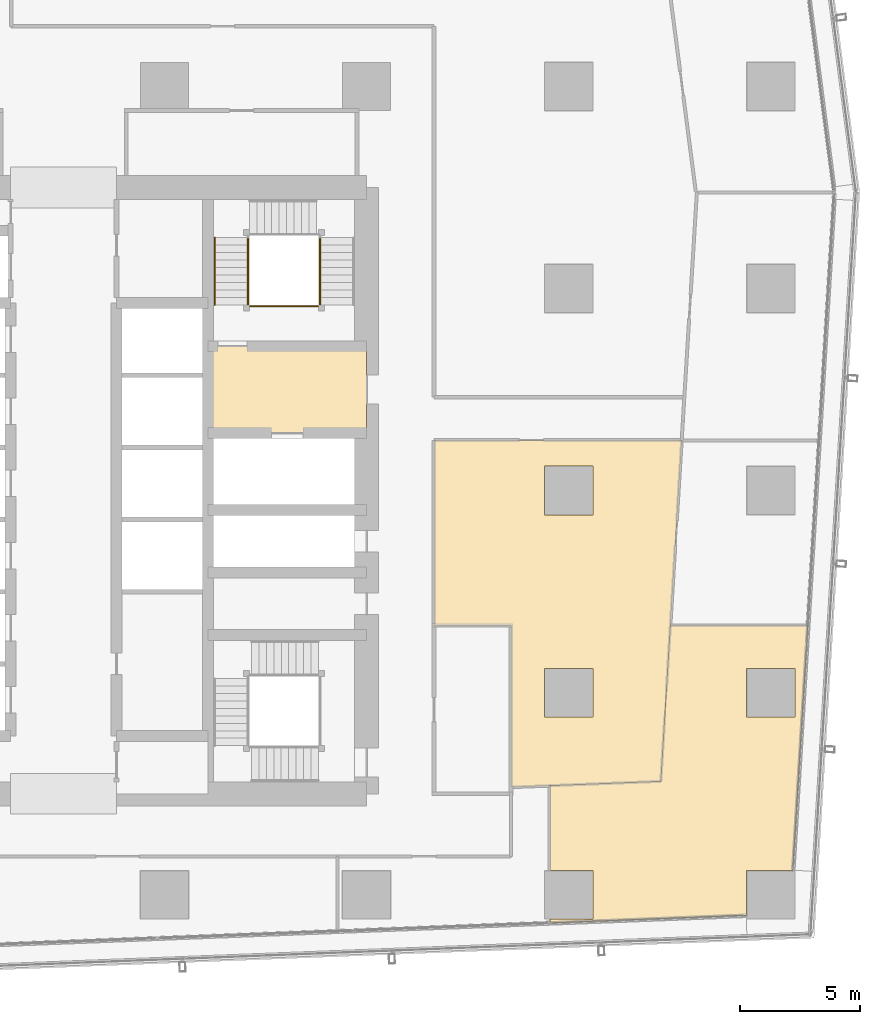
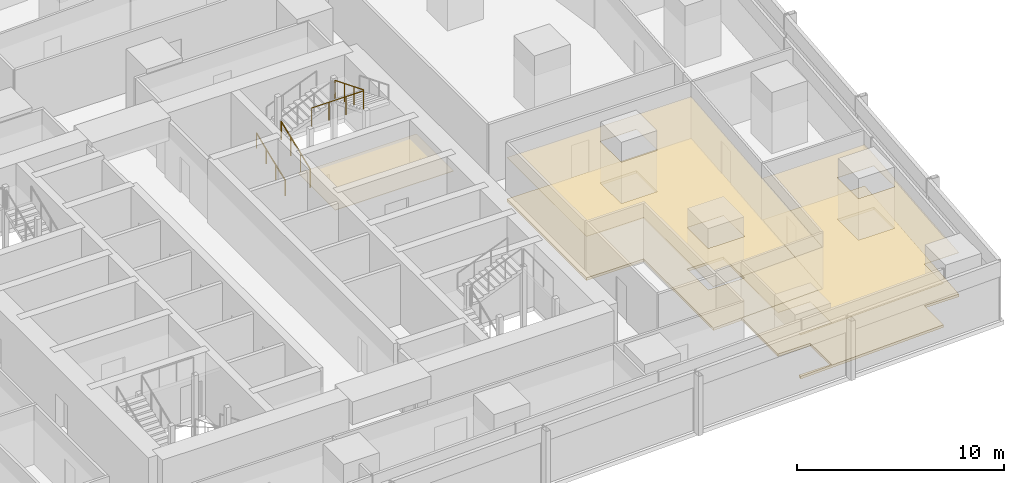
# One storey, part 37 of 39: 5 coverings, 4 railings.
"""IFC4 building model written with IfcOpenShell, lengths in metres."""

from ifc_helpers import new_model, si_unit, direction, frame, origin, origin_2d, place, context, subcontext, project, spatial, polyline, circle, outline, extrude, material, layer, layer_set, type_object, element, save


model = new_model("IFC4")

# Units and contexts
model_context = context("Model", 3, precision=1e-05, world=origin(), true_north=direction((0.0, 1.0)))
body_context = subcontext(model_context, "Body", "Model", "MODEL_VIEW")
ifc_project = project(units=[si_unit("LENGTHUNIT", "METRE"), si_unit("AREAUNIT", "SQUARE_METRE"), si_unit("VOLUMEUNIT", "CUBIC_METRE"), si_unit("PLANEANGLEUNIT", "RADIAN"), si_unit("MASSUNIT", "GRAM", prefix="KILO")], contexts=[model_context])

# Site, building, storey
site_placement = place(None, origin())
site = spatial("IfcSite", under=ifc_project, at=site_placement, CompositionType="ELEMENT")
building_placement = place(site_placement, origin())
building = spatial("IfcBuilding", under=site, at=building_placement, Name="Rekha Terrace Tower", CompositionType="ELEMENT")
storey_placement = place(building_placement, frame((0.0, 0.0, 147.800048828125)))
storey = spatial("IfcBuildingStorey", under=building, at=storey_placement, Name="L37", CompositionType="ELEMENT", Elevation=147.800048828125)

# Coverings
ifc_material_1 = material(Name="Mineral fibre tile in exposed grid", Category="finish")
ifc_layer_1 = layer(ifc_material_1, 0.02001953125)
ifc_layer_set_1 = layer_set([ifc_layer_1], Name="Mineral fibre tile in exposed grid")
covering_type_1 = type_object("IfcCoveringType", Name="CL1 600x1200 office grid ceiling", PredefinedType="CEILING", material=ifc_layer_set_1)
covering_1_placement = place(storey_placement, frame((0.0, 0.0, 2.579833984375)))
element("IfcCovering", 1, at=covering_1_placement, inside=storey, type_object=covering_type_1, Name="Ceiling L37-03", PredefinedType="CEILING", context=body_context, shape_type="SweptSolid", body=[
    extrude(outline(polyline([(68.111083984375, 17.81494140625), (68.735107421875, 27.9970703125), (63.02392578125, 27.9970703125), (62.626953125, 21.51708984375), (58.010986328125, 21.337890625), (58.010986328125, 17.81494140625), (59.81494140625, 17.81494140625), (59.81494140625, 15.784912109375), (58.010986328125, 15.784912109375), (58.010986328125, 15.633056640625), (66.18505859375, 15.950927734375), (66.18505859375, 17.81494140625), (68.111083984375, 17.81494140625)]), holes=[polyline([(68.215087890625, 24.18505859375), (66.18505859375, 24.18505859375), (66.18505859375, 26.215087890625), (68.215087890625, 26.215087890625), (68.215087890625, 24.18505859375)])]), origin(), (0.0, 0.0, 1.0), 0.02001953125),
])
covering_2_placement = place(storey_placement, frame((0.0, 0.0, 2.579833984375)))
element("IfcCovering", 2, at=covering_2_placement, inside=storey, type_object=covering_type_1, Name="Ceiling L37-O1b", PredefinedType="CEILING", context=body_context, shape_type="SweptSolid", body=[
    extrude(outline(polyline([(53.199951171875, 35.68994140625), (53.199951171875, 28.0), (56.39990234375, 28.0), (56.39990234375, 21.27490234375), (58.010986328125, 21.3369140625), (58.010986328125, 21.337890625), (62.626953125, 21.51708984375), (63.02392578125, 27.998046875), (63.4951171875, 35.68994140625), (53.199951171875, 35.68994140625)]), holes=[polyline([(59.81494140625, 26.215087890625), (59.81494140625, 24.18505859375), (57.784912109375, 24.18505859375), (57.784912109375, 26.215087890625), (59.81494140625, 26.215087890625)]), polyline([(59.81494140625, 32.5849609375), (57.784912109375, 32.5849609375), (57.784912109375, 34.614990234375), (59.81494140625, 34.614990234375), (59.81494140625, 32.5849609375)])]), origin(), (0.0, 0.0, 1.0), 0.02001953125),
])
ifc_material_2 = material(Name="Powder-coated aluminium pan", Category="aluminium")
ifc_layer_2 = layer(ifc_material_2, 0.030029296875)
ifc_layer_set_2 = layer_set([ifc_layer_2], Name="Powder-coated aluminium pan")
covering_type_2 = type_object("IfcCoveringType", Name="CL3 300x1200 metal pan ceiling", PredefinedType="CEILING", material=ifc_layer_set_2)
covering_3_placement = place(storey_placement, frame((0.0, 0.0, 2.570068359375)))
element("IfcCovering", 3, at=covering_3_placement, inside=storey, type_object=covering_type_2, Name="Ceiling L37-FLB2", PredefinedType="CEILING", context=body_context, shape_type="SweptSolid", body=[
    extrude(outline(polyline([(50.39990234375, 39.60009765625), (43.800048828125, 39.60009765625), (43.800048828125, 36.0), (50.39990234375, 36.0), (50.39990234375, 39.60009765625)])), origin(), (0.0, 0.0, 1.0), 0.02978515625),
])

# Railings
ifc_material_3 = material(Name="Stainless steel balustrade", Category="steel")
railing_type_1 = type_object("IfcRailingType", Name="GR1 1100 stair guard", PredefinedType="GUARDRAIL", material=ifc_material_3)
railing_1_placement = place(storey_placement, frame((45.465087890625, 41.324951171875, 0.125)))
element("IfcRailing", 4, at=railing_1_placement, inside=storey, type_object=railing_type_1, Name="Guard ST2 L37 flight 1", PredefinedType="GUARDRAIL", context=body_context, shape_type="SweptSolid", body=[
    extrude(circle(Radius=0.02392578125, at=origin_2d()), frame((0.0, 0.0, 1.076171875), z_axis=(0.0, 0.927443287984, 0.373963831907), x_axis=(-1.0, 0.0, 0.0)), (0.0, 0.0, 1.0), 3.00830078125),
    extrude(circle(Radius=0.02099609375, at=origin_2d()), origin(), (0.0, 0.0, 1.0), 1.052001953125),
    extrude(circle(Radius=0.02099609375, at=origin_2d()), frame((0.0, 0.929931640625, 0.375)), (0.0, 0.0, 1.0), 1.052001953125),
    extrude(circle(Radius=0.02099609375, at=origin_2d()), frame((0.0, 1.860107421875, 0.75)), (0.0, 0.0, 1.0), 1.052001953125),
    extrude(circle(Radius=0.02099609375, at=origin_2d()), frame((0.0, 2.7900390625, 1.125)), (0.0, 0.0, 1.0), 1.052001953125),
])
railing_2_placement = place(storey_placement, frame((48.4599609375, 44.114990234375, 2.625)))
element("IfcRailing", 5, at=railing_2_placement, inside=storey, type_object=railing_type_1, Name="Guard ST2 L37 flight 3", PredefinedType="GUARDRAIL", context=body_context, shape_type="SweptSolid", body=[
    extrude(circle(Radius=0.02392578125, at=origin_2d()), frame((0.0, 0.0, 1.076171875), z_axis=(0.0, -0.927443287984, 0.373963831907), x_axis=(1.0, 0.0, 0.0)), (0.0, 0.0, 1.0), 3.00830078125),
    extrude(circle(Radius=0.02099609375, at=origin_2d()), origin(), (0.0, 0.0, 1.0), 1.052001953125),
    extrude(circle(Radius=0.02099609375, at=origin_2d()), frame((0.0, -0.929931640625, 0.375)), (0.0, 0.0, 1.0), 1.052001953125),
    extrude(circle(Radius=0.02099609375, at=origin_2d()), frame((0.0, -1.860107421875, 0.75)), (0.0, 0.0, 1.0), 1.052001953125),
    extrude(circle(Radius=0.02099609375, at=origin_2d()), frame((0.0, -2.7900390625, 1.125)), (0.0, 0.0, 1.0), 1.052001953125),
])
railing_3_placement = place(storey_placement, frame((45.52490234375, 41.264892578125, 3.75)))
element("IfcRailing", 6, at=railing_3_placement, inside=storey, type_object=railing_type_1, Name="Guard ST2 L37 landing 4", PredefinedType="GUARDRAIL", context=body_context, shape_type="SweptSolid", body=[
    extrude(circle(Radius=0.02392578125, at=origin_2d()), frame((0.0, 0.0, 1.076171875), z_axis=(1.0, 0.0, 0.0), x_axis=(0.0, 1.0, 0.0)), (0.0, 0.0, 1.0), 2.875),
    extrude(circle(Radius=0.02099609375, at=origin_2d()), origin(), (0.0, 0.0, 1.0), 1.052001953125),
    extrude(circle(Radius=0.02099609375, at=origin_2d()), frame((0.958251953125, 0.0, 0.0)), (0.0, 0.0, 1.0), 1.052001953125),
    extrude(circle(Radius=0.02099609375, at=origin_2d()), frame((1.916748046875, 0.0, 0.0)), (0.0, 0.0, 1.0), 1.052001953125),
    extrude(circle(Radius=0.02099609375, at=origin_2d()), frame((2.875, 0.0, 0.0)), (0.0, 0.0, 1.0), 1.052001953125),
])
ifc_material_4 = material(Name="Stainless steel tube", Category="steel")
railing_type_2 = type_object("IfcRailingType", Name="HR1 900 stair handrail", PredefinedType="HANDRAIL", material=ifc_material_4)
railing_4_placement = place(storey_placement, frame((44.0849609375, 41.324951171875, 0.125)))
element("IfcRailing", 7, at=railing_4_placement, inside=storey, type_object=railing_type_2, Name="Handrail ST2 L37 flight 1", PredefinedType="HANDRAIL", context=body_context, shape_type="SweptSolid", body=[
    extrude(circle(Radius=0.02392578125, at=origin_2d()), frame((0.0, 0.0, 0.8759765625), z_axis=(0.0, 0.927443287984, 0.373963831907), x_axis=(-1.0, 0.0, 0.0)), (0.0, 0.0, 1.0), 3.00830078125),
    extrude(circle(Radius=0.02099609375, at=origin_2d()), origin(), (0.0, 0.0, 1.0), 0.851806640625),
    extrude(circle(Radius=0.02099609375, at=origin_2d()), frame((0.0, 0.929931640625, 0.375)), (0.0, 0.0, 1.0), 0.851806640625),
    extrude(circle(Radius=0.02099609375, at=origin_2d()), frame((0.0, 1.860107421875, 0.75)), (0.0, 0.0, 1.0), 0.851806640625),
    extrude(circle(Radius=0.02099609375, at=origin_2d()), frame((0.0, 2.7900390625, 1.125)), (0.0, 0.0, 1.0), 0.851806640625),
])

# Coverings
ifc_material_5 = material(Name="Calcium sulphate panels on steel pedestals", Category="steel")
ifc_layer_3 = layer(ifc_material_5, 0.14990234375)
ifc_layer_set_3 = layer_set([ifc_layer_3], Name="Calcium sulphate panels on steel pedestals")
covering_type_3 = type_object("IfcCoveringType", Name="RF1 150 raised access floor", PredefinedType="FLOORING", material=ifc_layer_set_3)
covering_4_placement = place(storey_placement, origin())
element("IfcCovering", 8, at=covering_4_placement, inside=storey, type_object=covering_type_3, Name="Raised floor L37-03", PredefinedType="FLOORING", context=body_context, shape_type="SweptSolid", body=[
    extrude(outline(polyline([(68.111083984375, 17.81494140625), (68.735107421875, 27.9970703125), (63.02392578125, 27.9970703125), (62.626953125, 21.51708984375), (58.010986328125, 21.337890625), (58.010986328125, 17.81494140625), (59.81494140625, 17.81494140625), (59.81494140625, 15.784912109375), (58.010986328125, 15.784912109375), (58.010986328125, 15.633056640625), (66.18505859375, 15.950927734375), (66.18505859375, 17.81494140625), (68.111083984375, 17.81494140625)]), holes=[polyline([(68.215087890625, 24.18505859375), (66.18505859375, 24.18505859375), (66.18505859375, 26.215087890625), (68.215087890625, 26.215087890625), (68.215087890625, 24.18505859375)])]), origin(), (0.0, 0.0, 1.0), 0.14990234375),
])
covering_5_placement = place(storey_placement, origin())
element("IfcCovering", 9, at=covering_5_placement, inside=storey, type_object=covering_type_3, Name="Raised floor L37-O1b", PredefinedType="FLOORING", context=body_context, shape_type="SweptSolid", body=[
    extrude(outline(polyline([(53.199951171875, 35.68994140625), (53.199951171875, 28.0), (56.39990234375, 28.0), (56.39990234375, 21.27490234375), (58.010986328125, 21.3369140625), (58.010986328125, 21.337890625), (62.626953125, 21.51708984375), (63.02392578125, 27.998046875), (63.4951171875, 35.68994140625), (53.199951171875, 35.68994140625)]), holes=[polyline([(59.81494140625, 26.215087890625), (59.81494140625, 24.18505859375), (57.784912109375, 24.18505859375), (57.784912109375, 26.215087890625), (59.81494140625, 26.215087890625)]), polyline([(59.81494140625, 32.5849609375), (57.784912109375, 32.5849609375), (57.784912109375, 34.614990234375), (59.81494140625, 34.614990234375), (59.81494140625, 32.5849609375)])]), origin(), (0.0, 0.0, 1.0), 0.14990234375),
])

save(model, "model.ifc")
